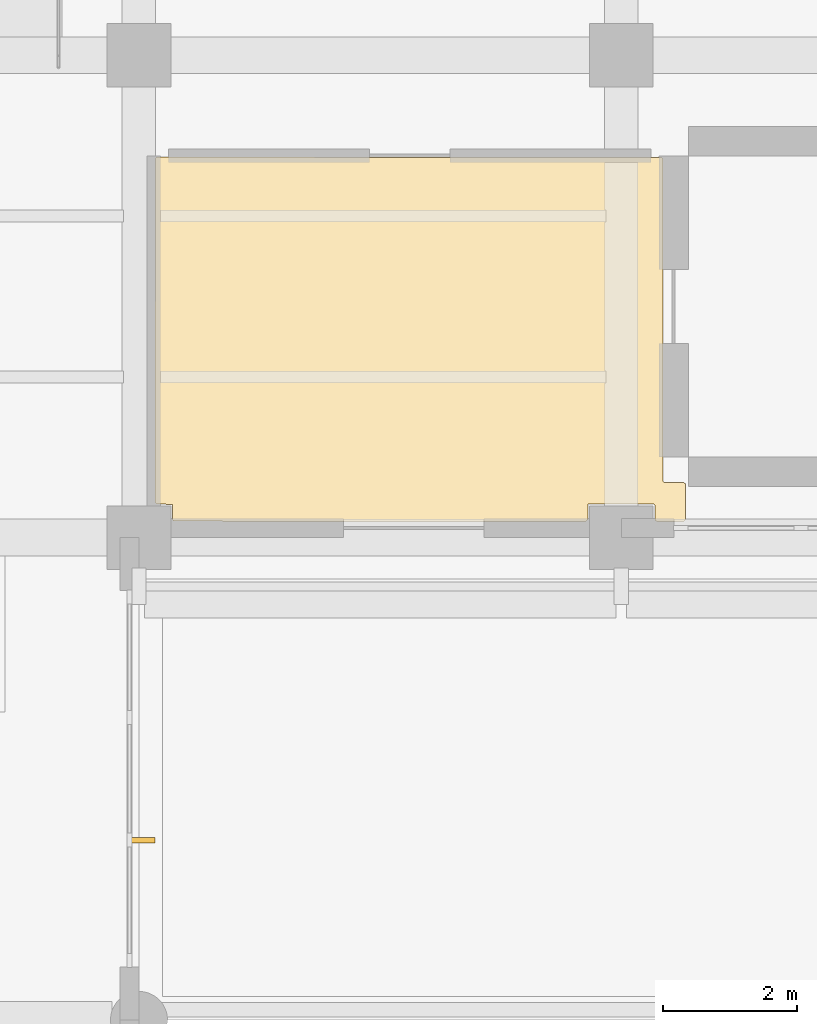
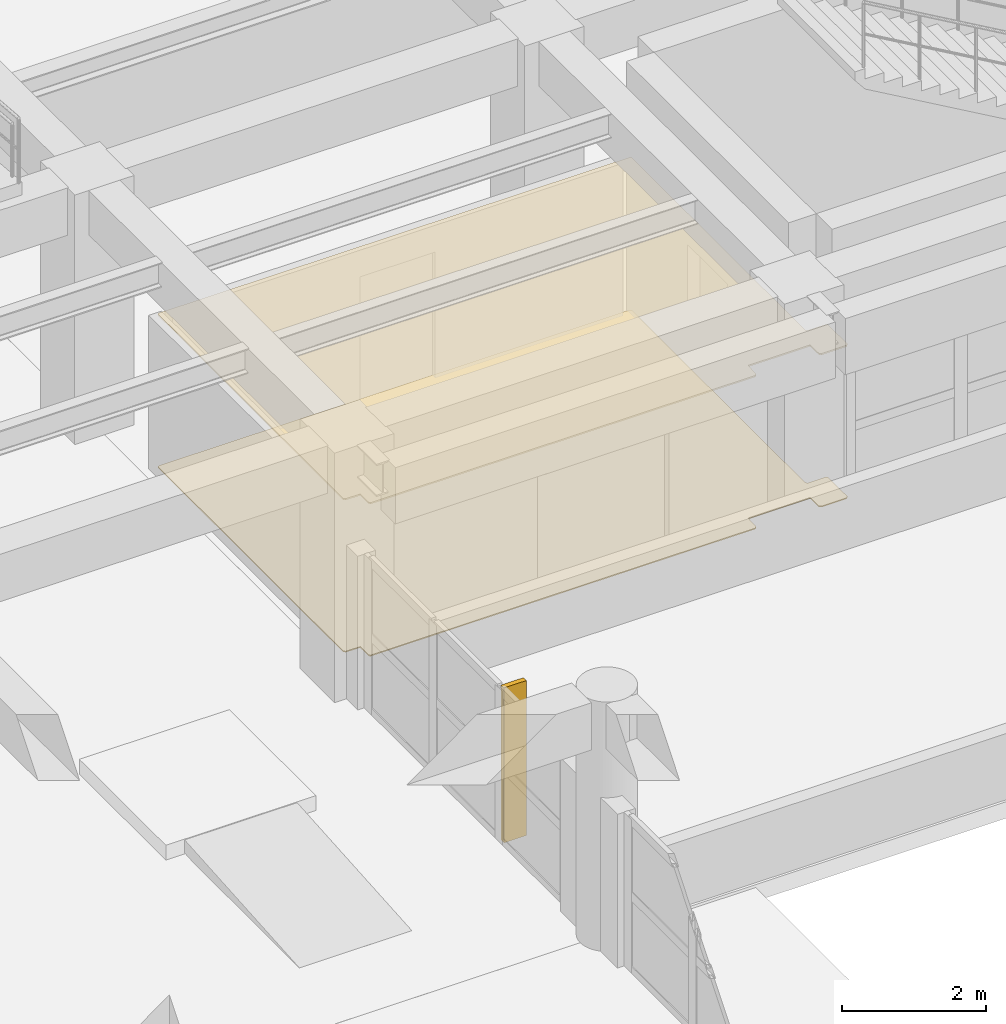
# One storey, part 52 of 64: 2 coverings, 1 shading device.
"""IFC4 building model written with IfcOpenShell, lengths in metres."""

from ifc_helpers import new_model, si_unit, direction, frame, origin, origin_2d, place, context, subcontext, project, spatial, polyline, rectangle, outline, extrude, material, layer, layer_set, material_profile, profile_set, type_object, element, save


model = new_model("IFC4")

# Units and contexts
model_context = context("Model", 3, precision=1e-05, world=origin(), true_north=direction((0.0, 1.0)))
body_context = subcontext(model_context, "Body", "Model", "MODEL_VIEW")
ifc_project = project(units=[si_unit("LENGTHUNIT", "METRE"), si_unit("AREAUNIT", "SQUARE_METRE"), si_unit("VOLUMEUNIT", "CUBIC_METRE"), si_unit("PLANEANGLEUNIT", "RADIAN"), si_unit("MASSUNIT", "GRAM", prefix="KILO")], contexts=[model_context])

# Site, building, storey
site_placement = place(None, origin())
site = spatial("IfcSite", under=ifc_project, at=site_placement, CompositionType="ELEMENT")
building_placement = place(site_placement, origin())
building = spatial("IfcBuilding", under=site, at=building_placement, Name="Solenvale Faculty of Natural Sciences", CompositionType="ELEMENT")
storey_placement = place(building_placement, origin())
storey = spatial("IfcBuildingStorey", under=building, at=storey_placement, Name="L00", CompositionType="ELEMENT", Elevation=0.0)

# Coverings
ifc_material_1 = material(Name="Acoustic mineral-timber ceiling", Category="wood")
ifc_layer_1 = layer(ifc_material_1, 0.02490234375)
ifc_layer_set_1 = layer_set([ifc_layer_1], Name="Acoustic mineral-timber ceiling")
covering_type_1 = type_object("IfcCoveringType", Name="COV-CEIL-AC25", PredefinedType="CEILING", material=ifc_layer_set_1)
covering_1_placement = place(storey_placement, frame((0.0, 0.0, 2.574951171875)))
element("IfcCovering", 1, at=covering_1_placement, inside=storey, type_object=covering_type_1, Name="L00 Protected Exit Vestibule ST-03 Acoustic Ceiling", PredefinedType="CEILING", context=body_context, shape_type="SweptSolid", body=[
    extrude(outline(polyline([(65.330078125, 21.840087890625), (65.301025390625, 21.864013671875), (65.300048828125, 22.089111328125), (65.2890625, 22.10009765625), (64.306884765625, 22.10009765625), (64.300048828125, 21.866943359375), (64.27001953125, 21.840087890625), (58.113037109375, 21.844970703125), (58.10009765625, 21.866943359375), (58.096923828125, 22.096923828125), (57.866943359375, 22.10009765625), (57.840087890625, 22.126953125), (57.844970703125, 27.26708984375), (57.8701171875, 27.280029296875), (65.406982421875, 27.27490234375), (65.419921875, 27.25), (65.419921875, 22.447998046875), (65.446044921875, 22.419921875), (65.73291015625, 22.419921875), (65.756103515625, 22.404052734375), (65.760009765625, 21.8701171875), (65.73291015625, 21.840087890625), (65.330078125, 21.840087890625)])), origin(), (0.0, 0.0, 1.0), 0.025146484375),
])
ifc_material_2 = material(Name="Polished slate terrazzo flooring", Category="masonry")
ifc_layer_2 = layer(ifc_material_2, 0.01806640625)
ifc_layer_set_2 = layer_set([ifc_layer_2], Name="Polished slate terrazzo flooring")
covering_type_2 = type_object("IfcCoveringType", Name="COV-FLR-TRZ18", PredefinedType="FLOORING", material=ifc_layer_set_2)
covering_2_placement = place(storey_placement, origin())
element("IfcCovering", 2, at=covering_2_placement, inside=storey, type_object=covering_type_2, Name="L00 Protected Exit Vestibule ST-03 Floor Finish", PredefinedType="FLOORING", context=body_context, shape_type="SweptSolid", body=[
    extrude(outline(polyline([(65.330078125, 21.840087890625), (65.301025390625, 21.864013671875), (65.300048828125, 22.089111328125), (65.2890625, 22.10009765625), (64.306884765625, 22.10009765625), (64.300048828125, 21.866943359375), (64.27001953125, 21.840087890625), (58.113037109375, 21.844970703125), (58.10009765625, 21.866943359375), (58.096923828125, 22.096923828125), (57.866943359375, 22.10009765625), (57.840087890625, 22.126953125), (57.844970703125, 27.26708984375), (57.8701171875, 27.280029296875), (65.406982421875, 27.27490234375), (65.419921875, 27.25), (65.419921875, 22.447998046875), (65.446044921875, 22.419921875), (65.73291015625, 22.419921875), (65.756103515625, 22.404052734375), (65.760009765625, 21.8701171875), (65.73291015625, 21.840087890625), (65.330078125, 21.840087890625)])), origin(), (0.0, 0.0, 1.0), 0.01806640625),
])

# Shading device
ifc_material_3 = material(Name="Anodised bronze aluminium", Category="aluminium")
ifc_material_profile = material_profile(ifc_material_3, rectangle(XDim=0.080078125, YDim=0.360107421875, at=origin_2d()), Name="ALU-FIN-80x360")
ifc_profile_set = profile_set([ifc_material_profile], Name="Anodised bronze aluminium")
shading_device_type = type_object("IfcShadingDeviceType", Name="SHD-FIN-360", PredefinedType="JALOUSIE", material=ifc_profile_set)
shading_device_placement = place(storey_placement, frame((57.659912109375, 17.083251953125, -0.02001953125), z_axis=(0.0, 0.0, 1.0), x_axis=(0.0, 1.0, 0.0)))
element("IfcShadingDevice", 3, at=shading_device_placement, inside=storey, type_object=shading_device_type, Name="L00 Vertical Brise-Soleil Fin 2.1", PredefinedType="JALOUSIE", context=body_context, shape_type="SweptSolid", body=[
    extrude(rectangle(XDim=0.080078125, YDim=0.360107421875, at=origin_2d()), origin(), (0.0, 0.0, 1.0), 2.6201171875),
])

save(model, "model.ifc")
